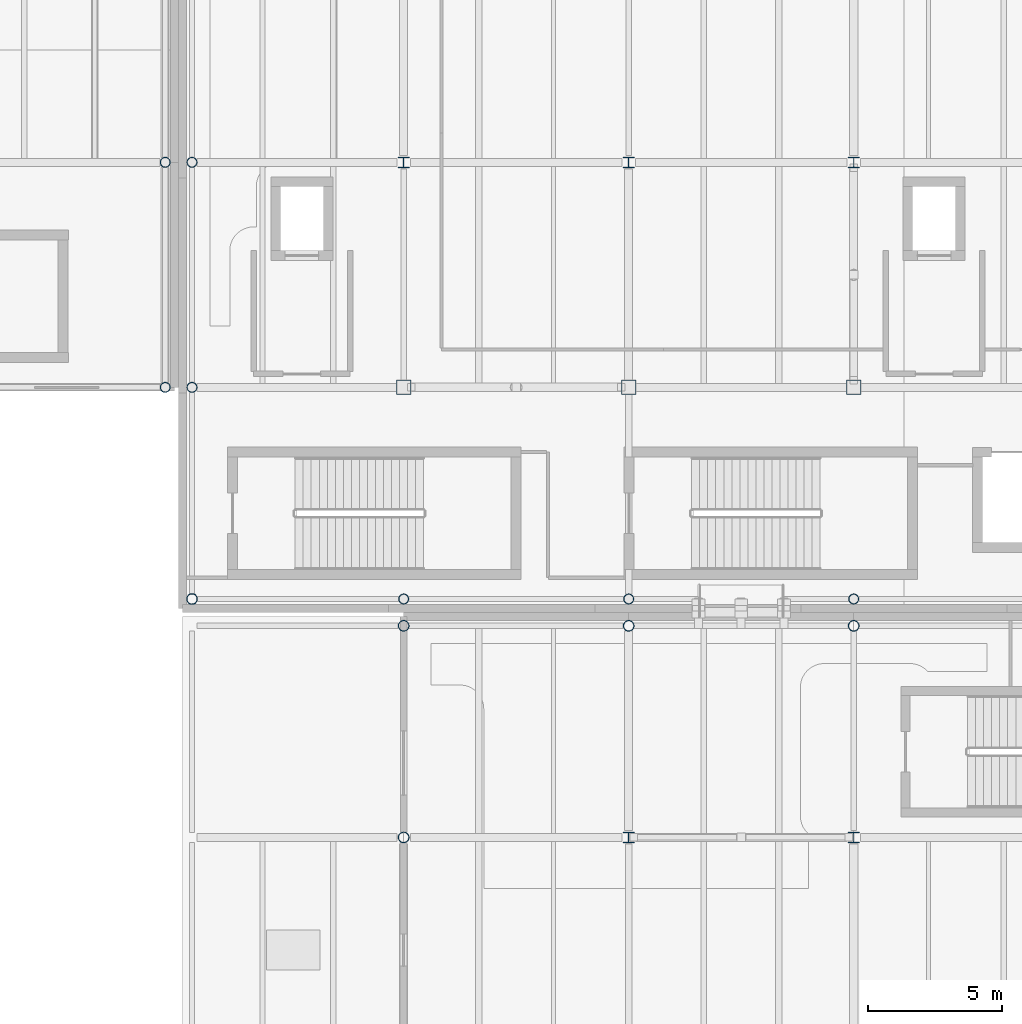
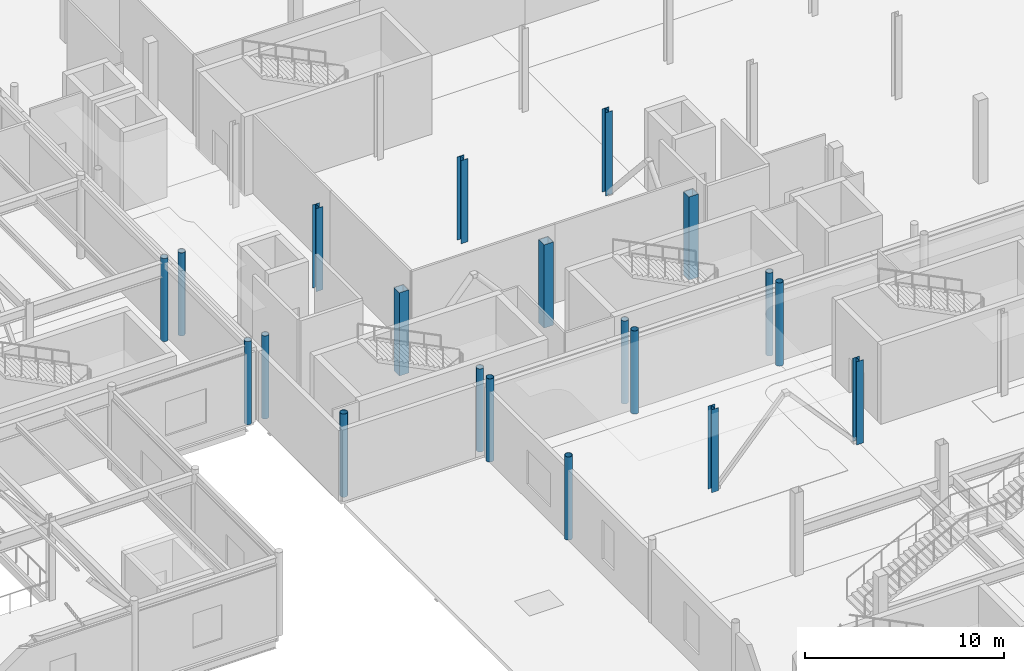
# One storey, part 5 of 103: 20 columns.
"""IFC4 building model written with IfcOpenShell, lengths in metres."""

from ifc_helpers import new_model, si_unit, direction, frame, origin, origin_2d, place, context, subcontext, project, spatial, hollow_rectangle, hollow_circle, i_section, extrude, material, material_profile, profile_set, type_object, element, save


model = new_model("IFC4")

# Units and contexts
model_context = context("Model", 3, precision=1e-05, world=origin(), true_north=direction((0.0, 1.0)))
body_context = subcontext(model_context, "Body", "Model", "MODEL_VIEW")
ifc_project = project(units=[si_unit("LENGTHUNIT", "METRE"), si_unit("AREAUNIT", "SQUARE_METRE"), si_unit("VOLUMEUNIT", "CUBIC_METRE"), si_unit("PLANEANGLEUNIT", "RADIAN"), si_unit("MASSUNIT", "GRAM", prefix="KILO"), si_unit("THERMODYNAMICTEMPERATUREUNIT", "KELVIN")], contexts=[model_context])

# Site, building, storey
site_placement = place(None, origin())
site = spatial("IfcSite", under=ifc_project, at=site_placement, CompositionType="ELEMENT")
building_placement = place(site_placement, origin())
building = spatial("IfcBuilding", under=site, at=building_placement, Name="Lustrewick Department Store", CompositionType="ELEMENT")
storey_placement = place(building_placement, frame((0.0, 0.0, 16.5)))
storey = spatial("IfcBuildingStorey", under=building, at=storey_placement, Name="L04", CompositionType="ELEMENT", Elevation=16.5)

# Columns
ifc_material_1 = material(Name="Structural steel Q355C", Category="steel")
ifc_material_profile_1 = material_profile(ifc_material_1, hollow_rectangle(XDim=0.550048828125, YDim=0.550048828125, WallThickness=0.02197265625, at=origin_2d()), Name="BOX 550x550x22")
ifc_profile_set_1 = profile_set([ifc_material_profile_1], Name="Structural steel Q355C")
column_type_1 = type_object("IfcColumnType", Name="C05", PredefinedType="COLUMN", material=ifc_profile_set_1)
for number, where, z_axis, x_axis, name in (
    (1, (117.60009765625, 58.800048828125, 0.0), (0.0, 0.0, 1.0), (1.0, 0.0, 0.0), "L04 V4 Column C05"),
    (2, (126.0, 58.800048828125, 0.0), (0.0, 0.0, 1.0), (1.0, 0.0, 0.0), "L04 V4 Column C05"),
    (3, (134.39990234375, 58.800048828125, 0.0), (0.0, 0.0, 1.0), (1.0, 0.0, 0.0), "L04 V4 Column C05"),
):
    element("IfcColumn", number, at=place(storey_placement, frame(where, z_axis=z_axis, x_axis=x_axis)), inside=storey, type_object=column_type_1, Name=name, PredefinedType="COLUMN", context=body_context, shape_type="SweptSolid", body=[
        extrude(hollow_rectangle(XDim=0.550048828125, YDim=0.550048828125, WallThickness=0.02197265625, at=origin_2d()), origin(), (0.0, 0.0, 1.0), 5.10009765625),
    ])
ifc_material_2 = material(Name="Structural steel Q355B", Category="steel")
ifc_material_profile_2 = material_profile(ifc_material_2, i_section(OverallWidth=0.402099609375, OverallDepth=0.387939453125, WebThickness=0.014892578125, FlangeThickness=0.014892578125, FilletRadius=0.02197265625, at=origin_2d()), Name="HW 388x402x15x15")
ifc_profile_set_2 = profile_set([ifc_material_profile_2], Name="Structural steel Q355B")
column_type_2 = type_object("IfcColumnType", Name="C12", PredefinedType="COLUMN", material=ifc_profile_set_2)
for number, where, z_axis, x_axis, name in (
    (4, (126.0, 42.0, 0.0), (0.0, 0.0, 1.0), (1.0, 0.0, 0.0), "L04 V3 Column C12"),
    (5, (134.39990234375, 42.0, 0.0), (0.0, 0.0, 1.0), (1.0, 0.0, 0.0), "L04 V3 Column C12"),
    (6, (117.60009765625, 67.199951171875, 0.0), (0.0, 0.0, 1.0), (1.0, 0.0, 0.0), "L04 V4 Column C12"),
    (7, (126.0, 67.199951171875, 0.0), (0.0, 0.0, 1.0), (1.0, 0.0, 0.0), "L04 V4 Column C12"),
    (8, (134.39990234375, 67.199951171875, 0.0), (0.0, 0.0, 1.0), (1.0, 0.0, 0.0), "L04 V4 Column C12"),
):
    element("IfcColumn", number, at=place(storey_placement, frame(where, z_axis=z_axis, x_axis=x_axis)), inside=storey, type_object=column_type_2, Name=name, PredefinedType="COLUMN", context=body_context, shape_type="SweptSolid", body=[
        extrude(i_section(OverallWidth=0.402099609375, OverallDepth=0.387939453125, WebThickness=0.014892578125, FlangeThickness=0.014892578125, FilletRadius=0.02197265625, at=origin_2d()), origin(), (0.0, 0.0, 1.0), 5.10009765625),
    ])
ifc_material_profile_3 = material_profile(ifc_material_1, hollow_circle(Radius=0.202880859375, WallThickness=0.01611328125, at=origin_2d()), Name="CHS 406x16")
ifc_profile_set_3 = profile_set([ifc_material_profile_3], Name="Structural steel Q355C")
column_type_3 = type_object("IfcColumnType", Name="CE03", PredefinedType="COLUMN", material=ifc_profile_set_3)
for number, where, z_axis, x_axis, name in (
    (9, (117.60009765625, 42.0, 0.0), (0.0, 0.0, 1.0), (1.0, 0.0, 0.0), "L04 V3 Column CE03"),
    (10, (117.60009765625, 49.89990234375, 0.0), (0.0, 0.0, 1.0), (1.0, 0.0, 0.0), "L04 V3 Column CE03"),
    (11, (126.0, 49.89990234375, 0.0), (0.0, 0.0, 1.0), (1.0, 0.0, 0.0), "L04 V3 Column CE03"),
    (12, (134.39990234375, 49.89990234375, 0.0), (0.0, 0.0, 1.0), (1.0, 0.0, 0.0), "L04 V3 Column CE03"),
    (13, (109.699951171875, 50.89990234375, 0.0), (0.0, 0.0, 1.0), (1.0, 0.0, 0.0), "L04 V4 Column CE03"),
):
    element("IfcColumn", number, at=place(storey_placement, frame(where, z_axis=z_axis, x_axis=x_axis)), inside=storey, type_object=column_type_3, Name=name, PredefinedType="COLUMN", context=body_context, shape_type="SweptSolid", body=[
        extrude(hollow_circle(Radius=0.202880859375, WallThickness=0.01611328125, at=origin_2d()), origin(), (0.0, 0.0, 1.0), 5.10009765625),
    ])
ifc_material_profile_4 = material_profile(ifc_material_2, hollow_circle(Radius=0.1884765625, WallThickness=0.013916015625, at=origin_2d()), Name="CHS 377x14")
ifc_profile_set_4 = profile_set([ifc_material_profile_4], Name="Structural steel Q355B")
column_type_4 = type_object("IfcColumnType", Name="CE04", PredefinedType="COLUMN", material=ifc_profile_set_4)
for number, where, z_axis, x_axis, name in (
    (14, (108.699951171875, 58.800048828125, 0.0), (0.0, 0.0, 1.0), (1.0, 0.0, 0.0), "L04 V2 Column CE04"),
    (15, (108.699951171875, 67.199951171875, 0.0), (0.0, 0.0, 1.0), (1.0, 0.0, 0.0), "L04 V2 Column CE04"),
    (16, (109.699951171875, 58.800048828125, 0.0), (0.0, 0.0, 1.0), (1.0, 0.0, 0.0), "L04 V4 Column CE04"),
    (17, (109.699951171875, 67.199951171875, 0.0), (0.0, 0.0, 1.0), (1.0, 0.0, 0.0), "L04 V4 Column CE04"),
    (18, (117.60009765625, 50.89990234375, 0.0), (0.0, 0.0, 1.0), (1.0, 0.0, 0.0), "L04 V4 Column CE04"),
    (19, (126.0, 50.89990234375, 0.0), (0.0, 0.0, 1.0), (1.0, 0.0, 0.0), "L04 V4 Column CE04"),
    (20, (134.39990234375, 50.89990234375, 0.0), (0.0, 0.0, 1.0), (1.0, 0.0, 0.0), "L04 V4 Column CE04"),
):
    element("IfcColumn", number, at=place(storey_placement, frame(where, z_axis=z_axis, x_axis=x_axis)), inside=storey, type_object=column_type_4, Name=name, PredefinedType="COLUMN", context=body_context, shape_type="SweptSolid", body=[
        extrude(hollow_circle(Radius=0.1884765625, WallThickness=0.013916015625, at=origin_2d()), origin(), (0.0, 0.0, 1.0), 5.10009765625),
    ])

save(model, "model.ifc")
